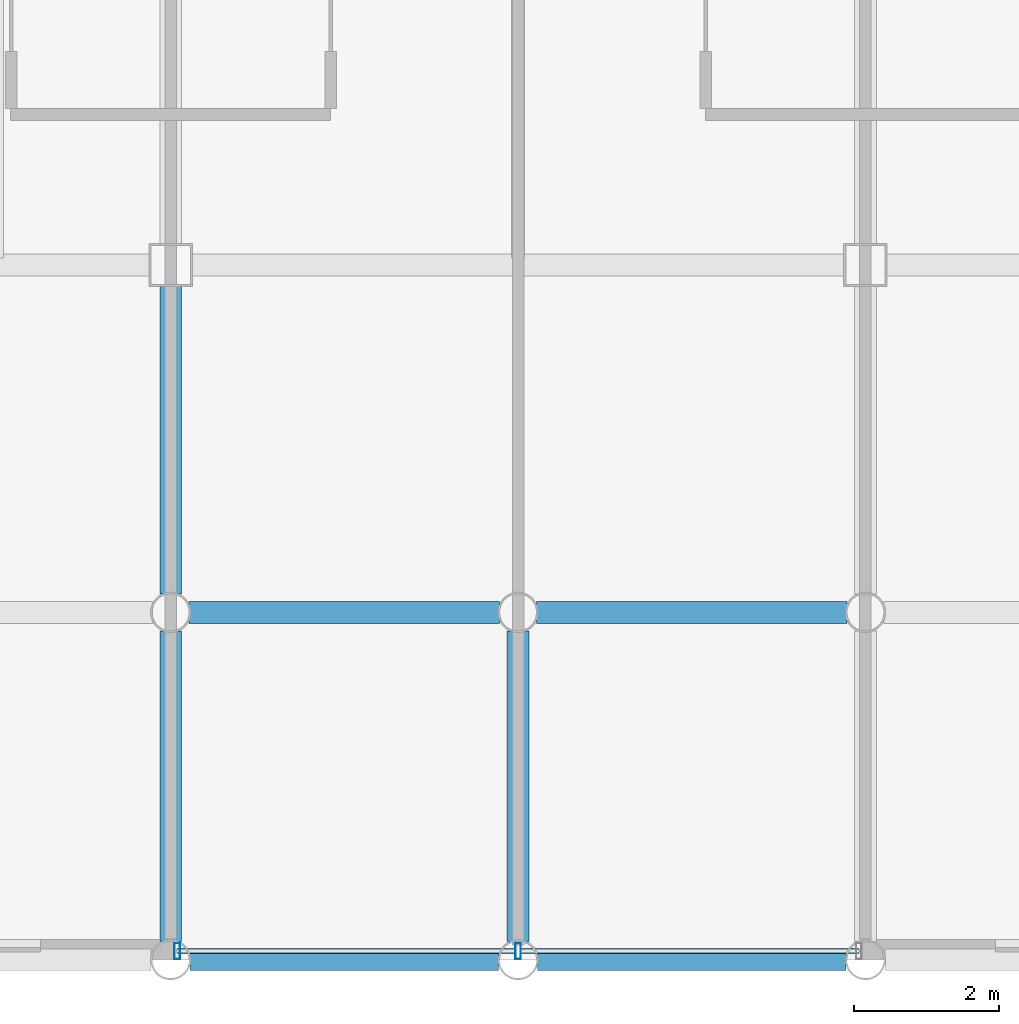
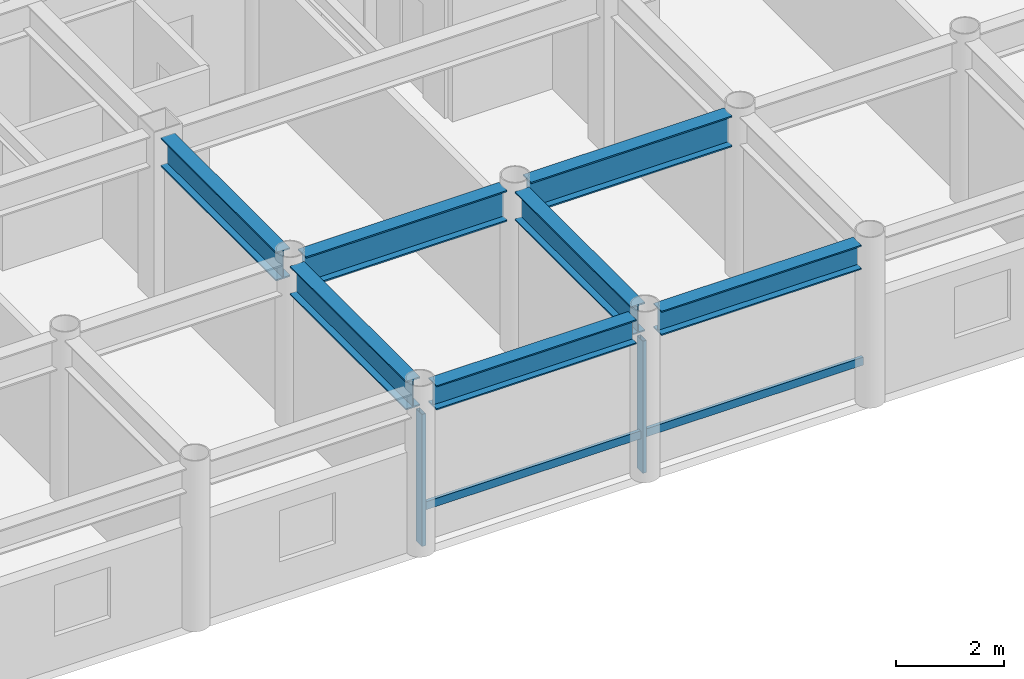
# One storey, part 4 of 22: 7 beams, 4 members, 1 element without a shape of its own.
"""IFC4 building model written with IfcOpenShell, lengths in metres."""

import ifcopenshell
import ifcopenshell.guid

model = None  # the IFC model being written
_history = None  # IfcOwnerHistory: only IFC2X3 demands one
_inside = {}  # id of a spatial element -> (the spatial element, [elements in it])
_under = {}  # id of a project, library or spatial element -> (it, [spatial elements below it])
_declared = {}  # id of a project -> (the project, [libraries it declares])
_typed = {}  # id of a type object -> (the type object, [elements of that type])
_made_of = {}  # id of a material, layer set ... -> (it, [elements and type objects made of it])


def new_model(schema):
    """Start an empty IFC model of exactly this schema.

    Asked for "IFC4X3", IfcOpenShell would pick the latest addendum, in which some entities
    have other attributes; the version numbers below select the first issue.
    IFC2X3 requires an IfcOwnerHistory on every rooted entity: one is made here for all.
    """
    global model, _history
    if schema == "IFC4X3":
        model = ifcopenshell.file(schema_version=(4, 3, 0, 0))
    else:
        model = ifcopenshell.file(schema=schema)
    _inside.clear()
    _under.clear()
    _declared.clear()
    _typed.clear()
    _made_of.clear()
    _history = None
    if model.schema == "IFC2X3":
        org = make("IfcOrganization", Name="unknown")
        user = make(
            "IfcPersonAndOrganization",
            ThePerson=make("IfcPerson", FamilyName="unknown"),
            TheOrganization=org,
        )
        app = make(
            "IfcApplication",
            ApplicationDeveloper=org,
            Version="unknown",
            ApplicationFullName="unknown",
            ApplicationIdentifier="unknown",
        )
        _history = make(
            "IfcOwnerHistory",
            OwningUser=user,
            OwningApplication=app,
            ChangeAction="ADDED",
            CreationDate=0,
        )
    return model


def make(cls, **values):
    """One entity of the class cls with the attributes given. An attribute that is None is left unset."""
    return model.create_entity(
        cls, **{name: value for name, value in values.items() if value is not None}
    )


def rooted(cls, **values):
    """An entity with a GlobalId (a new one), such as an element, a storey or a relation."""
    return make(cls, GlobalId=ifcopenshell.guid.new(), OwnerHistory=_history, **values)


def si_unit(unit_type, name, prefix=None):
    """IfcSIUnit, for example si_unit("LENGTHUNIT", "METRE", prefix="MILLI")."""
    return make("IfcSIUnit", UnitType=unit_type, Prefix=prefix, Name=name)


def assignment(units):
    """IfcUnitAssignment: the units of a project."""
    return None if units is None else make("IfcUnitAssignment", Units=units)


def point(xyz):
    """IfcCartesianPoint."""
    return None if xyz is None else make("IfcCartesianPoint", Coordinates=xyz)


def direction(xyz):
    """IfcDirection."""
    return None if xyz is None else make("IfcDirection", DirectionRatios=xyz)


def frame(location, z_axis=None, x_axis=None):
    """IfcAxis2Placement3D, a coordinate frame: its origin and axes. An axis left out is left unset."""
    return make(
        "IfcAxis2Placement3D",
        Location=point(location),
        Axis=direction(z_axis),
        RefDirection=direction(x_axis),
    )


def frame_2d(location, x_axis=None):
    """IfcAxis2Placement2D, a coordinate frame in the plane: its origin and x axis."""
    return make(
        "IfcAxis2Placement2D", Location=point(location), RefDirection=direction(x_axis)
    )


def origin():
    """The frame at (0, 0, 0) with its axes left unset."""
    return frame((0.0, 0.0, 0.0))


def origin_2d():
    """The frame at (0, 0) in the plane with its x axis left unset."""
    return frame_2d((0.0, 0.0))


def place(relative_to, where):
    """IfcLocalPlacement: puts the frame where relative to a parent placement (None: the world)."""
    return make(
        "IfcLocalPlacement", PlacementRelTo=relative_to, RelativePlacement=where
    )


def context(
    kind, dimensions, precision=None, world=None, true_north=None, identifier=None
):
    """IfcGeometricRepresentationContext, for example the 3D "Model" context."""
    return make(
        "IfcGeometricRepresentationContext",
        ContextIdentifier=identifier,
        ContextType=kind,
        CoordinateSpaceDimension=dimensions,
        Precision=precision,
        WorldCoordinateSystem=world,
        TrueNorth=true_north,
    )


def subcontext(parent, identifier, kind, view, scale=None):
    """IfcGeometricRepresentationSubContext, for example "Body" below "Model"."""
    return make(
        "IfcGeometricRepresentationSubContext",
        ContextIdentifier=identifier,
        ContextType=kind,
        ParentContext=parent,
        TargetScale=scale,
        TargetView=view,
    )


def project(units=None, contexts=None):
    """IfcProject with its units and contexts."""
    return rooted(
        "IfcProject",
        Name="project",
        RepresentationContexts=contexts,
        UnitsInContext=assignment(units),
    )


def spatial(cls, under=None, at=None, **own):
    """A site, building, storey or space (cls), placed at a placement, below another one or the project."""
    s = rooted(cls, ObjectPlacement=at, **own)
    if under is not None:
        _under.setdefault(under.id(), (under, []))[1].append(s)
    return s


def profile(cls, at=None, kind="AREA", **sizes):
    """A parametric profile (cls). Its sizes go by their IFC names, for example OverallWidth=200.0."""
    return make(cls, ProfileType=kind, Position=at, **sizes)


def hollow_rectangle(**sizes):
    """IfcRectangleHollowProfileDef."""
    return profile("IfcRectangleHollowProfileDef", **sizes)


def i_section(**sizes):
    """IfcIShapeProfileDef."""
    return profile("IfcIShapeProfileDef", **sizes)


def extrude(swept, where, along, depth):
    """IfcExtrudedAreaSolid: the profile swept, set in the frame where, extruded along a direction by depth."""
    return make(
        "IfcExtrudedAreaSolid",
        SweptArea=swept,
        Position=where,
        ExtrudedDirection=direction(along),
        Depth=depth,
    )


def shape(context_of_items, identifier, shape_type, items):
    """IfcShapeRepresentation: the items that make up one representation, for example the "Body"."""
    return make(
        "IfcShapeRepresentation",
        ContextOfItems=context_of_items,
        RepresentationIdentifier=identifier,
        RepresentationType=shape_type,
        Items=items,
    )


def material(Name=None, Category=None):
    """IfcMaterial."""
    return make("IfcMaterial", Name=Name, Category=Category)


def layer(
    of_material, thickness, ventilated=None, Name=None, Category=None, Priority=None
):
    """IfcMaterialLayer: one layer of a wall or slab, of a material (None: an air gap)."""
    return make(
        "IfcMaterialLayer",
        Material=of_material,
        LayerThickness=thickness,
        IsVentilated=ventilated,
        Name=Name,
        Category=Category,
        Priority=Priority,
    )


def layer_set(layers, Name=None):
    """IfcMaterialLayerSet."""
    return make("IfcMaterialLayerSet", MaterialLayers=layers, LayerSetName=Name)


def material_profile(
    of_material, cross_section, Name=None, Category=None, Priority=None
):
    """IfcMaterialProfile: a cross section and its material."""
    return make(
        "IfcMaterialProfile",
        Name=Name,
        Material=of_material,
        Profile=cross_section,
        Priority=Priority,
        Category=Category,
    )


def profile_set(profiles, Name=None, composite=None):
    """IfcMaterialProfileSet."""
    return make(
        "IfcMaterialProfileSet",
        Name=Name,
        MaterialProfiles=profiles,
        CompositeProfile=composite,
    )


def made_of(thing, what):
    """Note that an element or type object is made of a material, layer set ...; save() writes the relation."""
    if what is not None:
        _made_of.setdefault(what.id(), (what, []))[1].append(thing)
    return thing


def type_object(cls, material=None, **own):
    """A type object (cls), such as IfcWallType, which elements share."""
    return made_of(rooted(cls, **own), material)


def element(
    cls,
    number,
    at=None,
    inside=None,
    cuts=None,
    type_object=None,
    material=None,
    context=None,
    identifier="Body",
    shape_type=None,
    held_by="IfcProductDefinitionShape",
    body=None,
    shapes=None,
    **own,
):
    """One element of the class cls, such as IfcWall. Its Tag is "e" and its number.

    at: its placement. inside: the storey or other place that contains it. cuts: it is an
    opening in that element (IfcRelVoidsElement). A single representation is given by context,
    identifier, shape_type and body (its items); several are given by shapes. held_by: the class
    of the entity that holds the representations. save() writes the other relations.
    """
    e = rooted(cls, Tag="e%d" % number, ObjectPlacement=at, **own)
    if body is not None:
        shapes = [shape(context, identifier, shape_type, body)]
    if shapes is not None:
        e.Representation = make(held_by, Representations=shapes)
    if inside is not None:
        _inside.setdefault(inside.id(), (inside, []))[1].append(e)
    if cuts is not None:
        rooted(
            "IfcRelVoidsElement", RelatingBuildingElement=cuts, RelatedOpeningElement=e
        )
    if type_object is not None:
        _typed.setdefault(type_object.id(), (type_object, []))[1].append(e)
    return made_of(e, material)


def aggregate(whole, parts):
    """IfcRelAggregates: a whole, such as a stair, and the parts it consists of."""
    return rooted("IfcRelAggregates", RelatingObject=whole, RelatedObjects=parts)


def save(model, path):
    """Write the relations noted so far, then the file.

    IfcRelAggregates (storeys below a building ...), IfcRelContainedInSpatialStructure (elements
    in a storey), IfcRelDefinesByType, IfcRelAssociatesMaterial and IfcRelDeclares: one each for
    every whole, place, type object, material and project.
    """
    for whole, parts in _under.values():
        aggregate(whole, parts)
    for where, things in _inside.values():
        rooted(
            "IfcRelContainedInSpatialStructure",
            RelatedElements=things,
            RelatingStructure=where,
        )
    for kind, things in _typed.values():
        rooted("IfcRelDefinesByType", RelatedObjects=things, RelatingType=kind)
    for what, things in _made_of.values():
        rooted("IfcRelAssociatesMaterial", RelatedObjects=things, RelatingMaterial=what)
    for by, libraries in _declared.values():
        rooted("IfcRelDeclares", RelatingContext=by, RelatedDefinitions=libraries)
    model.write(path)


model = new_model("IFC4")

# Units and contexts
model_context = context("Model", 3, precision=1e-05, world=origin(), true_north=direction((0.0, 1.0)))
body_context = subcontext(model_context, "Body", "Model", "MODEL_VIEW")
ifc_project = project(units=[si_unit("LENGTHUNIT", "METRE"), si_unit("AREAUNIT", "SQUARE_METRE"), si_unit("VOLUMEUNIT", "CUBIC_METRE"), si_unit("PLANEANGLEUNIT", "RADIAN"), si_unit("MASSUNIT", "GRAM", prefix="KILO")], contexts=[model_context])

# Site, building, storey
site_placement = place(None, origin())
site = spatial("IfcSite", under=ifc_project, at=site_placement, CompositionType="ELEMENT")
building_placement = place(site_placement, origin())
building = spatial("IfcBuilding", under=site, at=building_placement, Name="Kallvorn Hotel Tower", CompositionType="ELEMENT")
storey_placement = place(building_placement, frame((0.0, 0.0, 199.199951171875)))
storey = spatial("IfcBuildingStorey", under=building, at=storey_placement, Name="L49", CompositionType="ELEMENT", Elevation=199.199951171875)

# Beams
ifc_material_1 = material(Name="Structural steel S355JR", Category="steel")
ifc_material_profile_1 = material_profile(ifc_material_1, i_section(OverallWidth=0.300048828125, OverallDepth=0.550048828125, WebThickness=0.014892578125, FlangeThickness=0.029052734375, at=origin_2d()), Name="HE 550 B")
ifc_profile_set_1 = profile_set([ifc_material_profile_1], Name="Structural steel S355JR")
beam_type_1 = type_object("IfcBeamType", Name="BM_HE550B", PredefinedType="SPANDREL", material=ifc_profile_set_1)
for number, where, z_axis, x_axis, name in (
    (1, (-4.530517578125, -24.0, 3.39501953125), (1.0, 0.0, 0.0), (0.0, 1.0, 0.0), "L50 Perimeter Spandrel 155"),
    (2, (0.26953125, -24.0, 3.39501953125), (1.0, 0.0, 0.0), (0.0, 1.0, 0.0), "L50 Perimeter Spandrel 156"),
):
    element("IfcBeam", number, at=place(storey_placement, frame(where, z_axis=z_axis, x_axis=x_axis)), inside=storey, type_object=beam_type_1, Name=name, PredefinedType="SPANDREL", context=body_context, shape_type="SweptSolid", body=[
        extrude(i_section(OverallWidth=0.300048828125, OverallDepth=0.550048828125, WebThickness=0.014892578125, FlangeThickness=0.029052734375, at=origin_2d()), origin(), (0.0, 0.0, 1.0), 4.260986328125),
    ])
ifc_material_2 = material(Name="Structural steel S355JR", Category="steel")
ifc_material_profile_2 = material_profile(ifc_material_2, i_section(OverallWidth=0.300048828125, OverallDepth=0.64990234375, WebThickness=0.01611328125, FlangeThickness=0.031005859375, at=origin_2d()), Name="HE 650 B")
ifc_profile_set_2 = profile_set([ifc_material_profile_2], Name="Structural steel S355JR")
beam_type_2 = type_object("IfcBeamType", Name="BM_HE650B", PredefinedType="BEAM", material=ifc_profile_set_2)
beam_1_placement = place(storey_placement, frame((-4.800048828125, -23.74560546875, 3.344970703125), z_axis=(0.0, 1.0, 0.0), x_axis=(-1.0, 0.0, 0.0)))
element("IfcBeam", 3, at=beam_1_placement, inside=storey, type_object=beam_type_2, Name="L50 Primary Y-Girder 105", PredefinedType="BEAM", context=body_context, shape_type="SweptSolid", body=[
    extrude(i_section(OverallWidth=0.300048828125, OverallDepth=0.64990234375, WebThickness=0.01611328125, FlangeThickness=0.031005859375, at=origin_2d()), origin(), (0.0, 0.0, 1.0), 4.291015625),
])
beam_2_placement = place(storey_placement, frame((-4.800048828125, -18.945556640625, 3.344970703125), z_axis=(0.0, 1.0, 0.0), x_axis=(-1.0, 0.0, 0.0)))
element("IfcBeam", 4, at=beam_2_placement, inside=storey, type_object=beam_type_2, Name="L50 Primary Y-Girder 106", PredefinedType="BEAM", context=body_context, shape_type="SweptSolid", body=[
    extrude(i_section(OverallWidth=0.300048828125, OverallDepth=0.64990234375, WebThickness=0.01611328125, FlangeThickness=0.031005859375, at=origin_2d()), origin(), (0.0, 0.0, 1.0), 4.2705078125),
])
beam_3_placement = place(storey_placement, frame((0.0, -23.74560546875, 3.344970703125), z_axis=(0.0, 1.0, 0.0), x_axis=(-1.0, 0.0, 0.0)))
element("IfcBeam", 5, at=beam_3_placement, inside=storey, type_object=beam_type_2, Name="L50 Primary Y-Girder 110", PredefinedType="BEAM", context=body_context, shape_type="SweptSolid", body=[
    extrude(i_section(OverallWidth=0.300048828125, OverallDepth=0.64990234375, WebThickness=0.01611328125, FlangeThickness=0.031005859375, at=origin_2d()), origin(), (0.0, 0.0, 1.0), 4.291015625),
])
ifc_material_3 = material(Name="Structural steel S355JR", Category="steel")
ifc_material_profile_3 = material_profile(ifc_material_3, i_section(OverallWidth=0.300048828125, OverallDepth=0.699951171875, WebThickness=0.01708984375, FlangeThickness=0.031982421875, at=origin_2d()), Name="HE 700 B")
ifc_profile_set_3 = profile_set([ifc_material_profile_3], Name="Structural steel S355JR")
beam_type_3 = type_object("IfcBeamType", Name="BM_HE700B", PredefinedType="BEAM", material=ifc_profile_set_3)
for number, where, z_axis, x_axis, name in (
    (6, (-4.54541015625, -19.199951171875, 3.320068359375), (1.0, 0.0, 0.0), (0.0, 1.0, 0.0), "L50 Primary X-Girder 06"),
    (7, (0.25439453125, -19.199951171875, 3.320068359375), (1.0, 0.0, 0.0), (0.0, 1.0, 0.0), "L50 Primary X-Girder 07"),
):
    element("IfcBeam", number, at=place(storey_placement, frame(where, z_axis=z_axis, x_axis=x_axis)), inside=storey, type_object=beam_type_3, Name=name, PredefinedType="BEAM", context=body_context, shape_type="SweptSolid", body=[
        extrude(i_section(OverallWidth=0.300048828125, OverallDepth=0.699951171875, WebThickness=0.01708984375, FlangeThickness=0.031982421875, at=origin_2d()), origin(), (0.0, 0.0, 1.0), 4.291015625),
    ])

# Curtain wall, members
ifc_material_4 = material(Name="Thermally broken black-anodised aluminium AA 6063-T6", Category="aluminium")
ifc_layer = layer(ifc_material_4, 0.22998046875)
ifc_layer_set = layer_set([ifc_layer], Name="CW_SYS_5_HOTEL_HIGH")
curtain_wall_type = type_object("IfcCurtainWallType", Name="CW_SYS_5_HOTEL_HIGH", PredefinedType="USERDEFINED", material=ifc_layer_set)
curtain_wall_placement = place(storey_placement, origin())
curtain_wall = element("IfcCurtainWall", 8, at=curtain_wall_placement, inside=storey, type_object=curtain_wall_type, Name="L49 Dark-Glass Curtain Wall CW-L49-SC", ObjectType="UNITISED CURTAIN WALL", PredefinedType="USERDEFINED")
ifc_material_5 = material(Name="Thermally broken black-anodised aluminium AA 6063-T6", Category="aluminium")
ifc_material_profile_4 = material_profile(ifc_material_5, hollow_rectangle(XDim=0.080078125, YDim=0.219970703125, WallThickness=0.0048828125, at=origin_2d()), Name="MUL 220x80")
ifc_profile_set_4 = profile_set([ifc_material_profile_4], Name="Thermally broken black-anodised aluminium AA 6063-T6")
member_type_1 = type_object("IfcMemberType", Name="CW_MULLION_220x80", PredefinedType="MULLION", material=ifc_profile_set_4)
member_1_placement = place(storey_placement, frame((-4.7099609375, -23.8798828125, 0.02001953125), z_axis=(0.0, 0.0, 1.0), x_axis=(1.0, 0.0, 0.0)))
member_1 = element("IfcMember", 9, at=member_1_placement, type_object=member_type_1, Name="CW-L49-SC Mullion 00", PredefinedType="MULLION", context=body_context, shape_type="SweptSolid", body=[
    extrude(hollow_rectangle(XDim=0.080078125, YDim=0.219970703125, WallThickness=0.0048828125, at=origin_2d()), origin(), (0.0, 0.0, 1.0), 2.97998046875),
])
member_2_placement = place(storey_placement, frame((0.0, -23.8798828125, 0.02001953125), z_axis=(0.0, 0.0, 1.0), x_axis=(1.0, 0.0, 0.0)))
member_2 = element("IfcMember", 10, at=member_2_placement, type_object=member_type_1, Name="CW-L49-SC Mullion 01", PredefinedType="MULLION", context=body_context, shape_type="SweptSolid", body=[
    extrude(hollow_rectangle(XDim=0.080078125, YDim=0.219970703125, WallThickness=0.0048828125, at=origin_2d()), origin(), (0.0, 0.0, 1.0), 2.97998046875),
])
ifc_material_6 = material(Name="Thermally broken black-anodised aluminium AA 6063-T6", Category="aluminium")
ifc_material_profile_5 = material_profile(ifc_material_6, hollow_rectangle(XDim=0.070068359375, YDim=0.179931640625, WallThickness=0.00390625, at=origin_2d()), Name="TRN 180x70")
ifc_profile_set_5 = profile_set([ifc_material_profile_5], Name="Thermally broken black-anodised aluminium AA 6063-T6")
member_type_2 = type_object("IfcMemberType", Name="CW_TRANSOM_180x70", PredefinedType="USERDEFINED", material=ifc_profile_set_5)
member_3_placement = place(storey_placement, frame((-4.7099609375, -23.8798828125, 0.85009765625), z_axis=(1.0, 0.0, 0.0), x_axis=(0.0, 1.0, 0.0)))
member_3 = element("IfcMember", 11, at=member_3_placement, type_object=member_type_2, Name="CW-L49-SC Transom 00M", ObjectType="TRANSOM", PredefinedType="USERDEFINED", context=body_context, shape_type="SweptSolid", body=[
    extrude(hollow_rectangle(XDim=0.070068359375, YDim=0.179931640625, WallThickness=0.00390625, at=origin_2d()), origin(), (0.0, 0.0, 1.0), 4.669921875),
])
member_4_placement = place(storey_placement, frame((0.0400390625, -23.8798828125, 0.85009765625), z_axis=(1.0, 0.0, 0.0), x_axis=(0.0, 1.0, 0.0)))
member_4 = element("IfcMember", 12, at=member_4_placement, type_object=member_type_2, Name="CW-L49-SC Transom 01M", ObjectType="TRANSOM", PredefinedType="USERDEFINED", context=body_context, shape_type="SweptSolid", body=[
    extrude(hollow_rectangle(XDim=0.070068359375, YDim=0.179931640625, WallThickness=0.00390625, at=origin_2d()), origin(), (0.0, 0.0, 1.0), 4.669921875),
])
aggregate(curtain_wall, [member_1, member_2, member_3, member_4])

save(model, "model.ifc")
